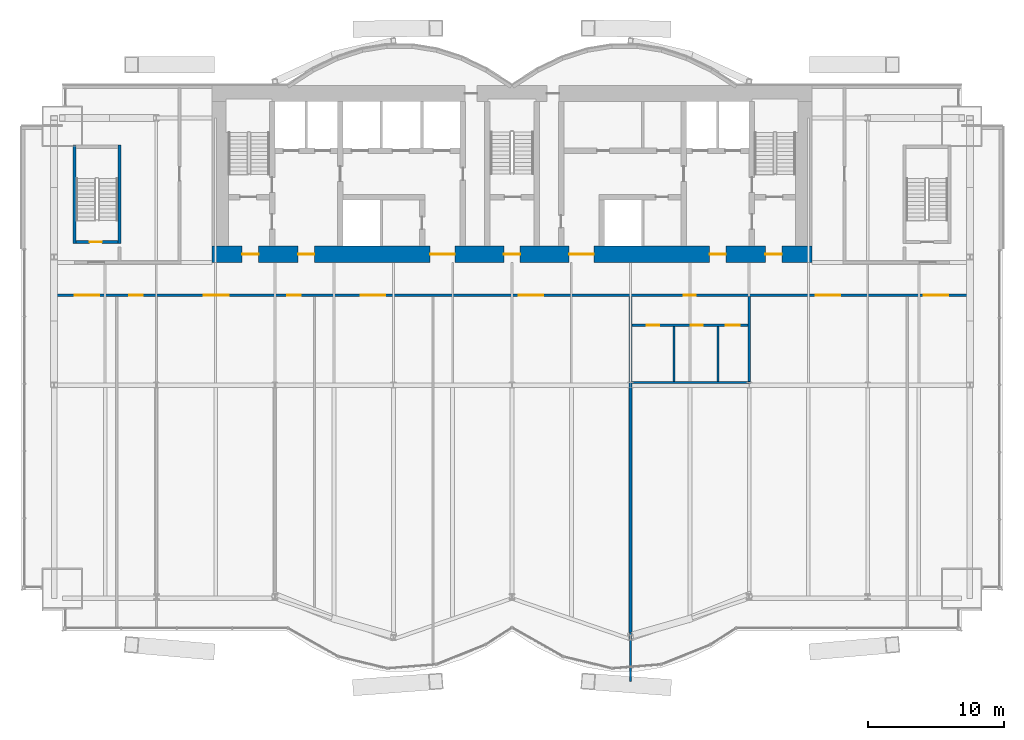
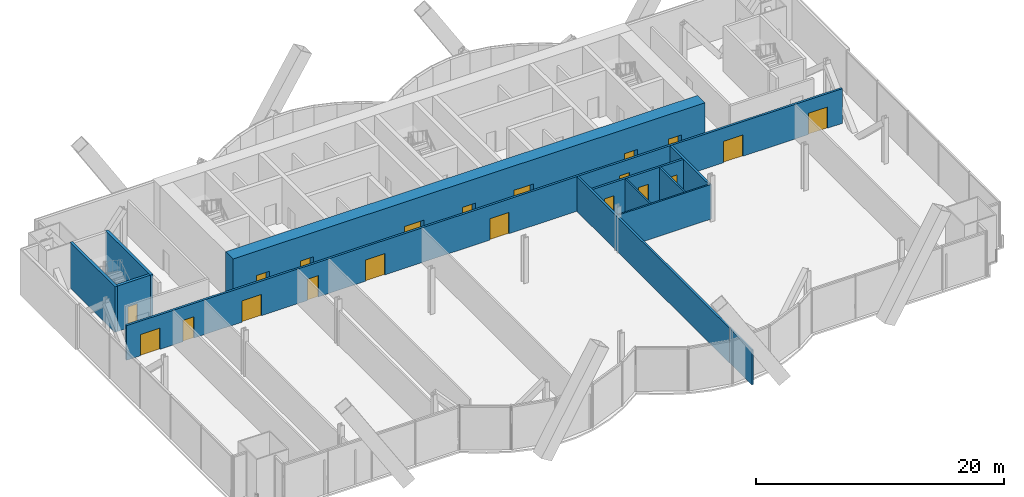
# One storey, part 16 of 22: 20 doors, 12 walls, 20 openings.
"""IFC4 building model written with IfcOpenShell, lengths in metres."""

from ifc_helpers import new_model, si_unit, direction, frame, frame_2d, origin, place, context, subcontext, project, spatial, rectangle, extrude, material, layer, layer_set, type_object, element, fill, save


model = new_model("IFC4")

# Units and contexts
model_context = context("Model", 3, precision=1e-05, world=origin(), true_north=direction((0.0, 1.0)))
body_context = subcontext(model_context, "Body", "Model", "MODEL_VIEW")
ifc_project = project(units=[si_unit("LENGTHUNIT", "METRE"), si_unit("AREAUNIT", "SQUARE_METRE"), si_unit("VOLUMEUNIT", "CUBIC_METRE"), si_unit("PLANEANGLEUNIT", "RADIAN"), si_unit("MASSUNIT", "GRAM", prefix="KILO")], contexts=[model_context])

# Site, building, storey
site_placement = place(None, origin())
site = spatial("IfcSite", under=ifc_project, at=site_placement, CompositionType="ELEMENT")
building_placement = place(site_placement, origin())
building = spatial("IfcBuilding", under=site, at=building_placement, Name="Bicima Exchange Tower", CompositionType="ELEMENT")
storey_placement = place(building_placement, frame((0.0, 0.0, 71.0)))
storey = spatial("IfcBuildingStorey", under=building, at=storey_placement, Name="L14", CompositionType="ELEMENT", Elevation=71.0)

# Wall, openings, doors
ifc_material_1 = material(Name="Gypsum board partition")
ifc_layer_1 = layer(ifc_material_1, 0.199951171875)
ifc_layer_set_1 = layer_set([ifc_layer_1], Name="Gypsum board partition")
wall_type_1 = type_object("IfcWallType", Name="Fire-rated gypsum partition 200 EI60", PredefinedType="PARTITIONING", material=ifc_layer_set_1)
wall_1_placement = place(storey_placement, frame((8.800048828125, -17.60009765625, 0.0), z_axis=(0.0, 0.0, 1.0), x_axis=(1.0, 0.0, 0.0)))
wall_1 = element("IfcWall", 1, at=wall_1_placement, inside=storey, type_object=wall_type_1, Name="partition wall 2", PredefinedType="PARTITIONING", context=body_context, shape_type="SweptSolid", body=[
    extrude(rectangle(XDim=8.5, YDim=0.199951171875, at=frame_2d((4.25, 0.0))), origin(), (0.0, 0.0, 1.0), 3.418212890625),
])
opening_1_placement = place(wall_1_placement, frame((1.10009765625, 0.0, 0.0)))
opening_1 = element("IfcOpeningElement", 2, at=opening_1_placement, cuts=wall_1, Name="Opening L14-014", PredefinedType="OPENING", context=body_context, shape_type="SweptSolid", body=[
    extrude(rectangle(XDim=0.89990234375, YDim=2.10009765625, at=frame_2d((0.449951171875, 1.050048828125))), frame((0.0, 0.11181640625, 0.0), z_axis=(0.0, -1.0, 0.0), x_axis=(1.0, 0.0, 0.0)), (0.0, 0.0, 1.0), 0.223876953125),
])
opening_2_placement = place(wall_1_placement, frame((4.300048828125, 0.0, 0.0)))
opening_2 = element("IfcOpeningElement", 3, at=opening_2_placement, cuts=wall_1, Name="Opening L14-015", PredefinedType="OPENING", context=body_context, shape_type="SweptSolid", body=[
    extrude(rectangle(XDim=0.89990234375, YDim=2.10009765625, at=frame_2d((0.449951171875, 1.050048828125))), frame((0.0, 0.11181640625, 0.0), z_axis=(0.0, -1.0, 0.0), x_axis=(1.0, 0.0, 0.0)), (0.0, 0.0, 1.0), 0.223876953125),
])
opening_3_placement = place(wall_1_placement, frame((6.89990234375, 0.0, 0.0)))
opening_3 = element("IfcOpeningElement", 4, at=opening_3_placement, cuts=wall_1, Name="Opening L14-016", PredefinedType="OPENING", context=body_context, shape_type="SweptSolid", body=[
    extrude(rectangle(XDim=1.0, YDim=2.10009765625, at=frame_2d((0.5, 1.050048828125))), frame((0.0, 0.11181640625, 0.0), z_axis=(0.0, -1.0, 0.0), x_axis=(1.0, 0.0, 0.0)), (0.0, 0.0, 1.0), 0.223876953125),
])
ifc_material_2 = material(Name="Steel fire door leaf", Category="steel")
door_type_1 = type_object("IfcDoorType", Name="Door 1000 swing FD30S", OperationType="SINGLE_SWING_LEFT", PredefinedType="DOOR", material=ifc_material_2)
door_1_placement = place(opening_3_placement, frame((1.0, 0.0, 0.0), z_axis=(0.0, 0.0, 1.0), x_axis=(-1.0, 0.0, 0.0)))
door_1 = element("IfcDoor", 5, at=door_1_placement, inside=storey, type_object=door_type_1, Name="Door", OperationType="SINGLE_SWING_LEFT", OverallHeight=2.10009765625, OverallWidth=1.0, PredefinedType="DOOR", context=body_context, shape_type="SweptSolid", body=[
    extrude(rectangle(XDim=1.0, YDim=2.10009765625, at=frame_2d((0.5, 1.050048828125))), frame((0.0, 0.02490234375, 0.0), z_axis=(0.0, -1.0, 0.0), x_axis=(1.0, 0.0, 0.0)), (0.0, 0.0, 1.0), 0.050048828125),
])
fill(opening_3, door_1)
door_type_2 = type_object("IfcDoorType", Name="Door 900 swing FD30S", OperationType="SINGLE_SWING_LEFT", PredefinedType="DOOR", material=ifc_material_2)
door_2_placement = place(opening_1_placement, frame((0.89990234375, 0.0, 0.0), z_axis=(0.0, 0.0, 1.0), x_axis=(-1.0, 0.0, 0.0)))
door_2 = element("IfcDoor", 6, at=door_2_placement, inside=storey, type_object=door_type_2, Name="Door", OperationType="SINGLE_SWING_RIGHT", OverallHeight=2.10009765625, OverallWidth=0.89990234375, PredefinedType="DOOR", context=body_context, shape_type="SweptSolid", body=[
    extrude(rectangle(XDim=0.89990234375, YDim=2.10009765625, at=frame_2d((0.449951171875, 1.050048828125))), frame((0.0, 0.02490234375, 0.0), z_axis=(0.0, -1.0, 0.0), x_axis=(1.0, 0.0, 0.0)), (0.0, 0.0, 1.0), 0.050048828125),
])
fill(opening_1, door_2)
door_3_placement = place(opening_2_placement, frame((0.89990234375, 0.0, 0.0), z_axis=(0.0, 0.0, 1.0), x_axis=(-1.0, 0.0, 0.0)))
door_3 = element("IfcDoor", 7, at=door_3_placement, inside=storey, type_object=door_type_2, Name="Door", OperationType="SINGLE_SWING_RIGHT", OverallHeight=2.10009765625, OverallWidth=0.89990234375, PredefinedType="DOOR", context=body_context, shape_type="SweptSolid", body=[
    extrude(rectangle(XDim=0.89990234375, YDim=2.10009765625, at=frame_2d((0.449951171875, 1.050048828125))), frame((0.0, 0.02490234375, 0.0), z_axis=(0.0, -1.0, 0.0), x_axis=(1.0, 0.0, 0.0)), (0.0, 0.0, 1.0), 0.050048828125),
])
fill(opening_2, door_3)

wall_2_placement = place(storey_placement, frame((-33.3701171875, -15.39990234375, 0.0), z_axis=(0.0, 0.0, 1.0), x_axis=(1.0, 0.0, 0.0)))
wall_2 = element("IfcWall", 8, at=wall_2_placement, inside=storey, type_object=wall_type_1, Name="partition wall 3", PredefinedType="PARTITIONING", context=body_context, shape_type="SweptSolid", body=[
    extrude(rectangle(XDim=66.740234375, YDim=0.199951171875, at=frame_2d((33.3701171875, 0.0))), origin(), (0.0, 0.0, 1.0), 3.418212890625),
])
opening_4_placement = place(wall_2_placement, frame((1.300048828125, 0.0, 0.0)))
opening_4 = element("IfcOpeningElement", 9, at=opening_4_placement, cuts=wall_2, Name="Opening L14-007", PredefinedType="OPENING", context=body_context, shape_type="SweptSolid", body=[
    extrude(rectangle(XDim=1.800048828125, YDim=2.10009765625, at=frame_2d((0.89990234375, 1.050048828125))), frame((0.0, 0.11181640625, 0.0), z_axis=(0.0, -1.0, 0.0), x_axis=(1.0, 0.0, 0.0)), (0.0, 0.0, 1.0), 0.223876953125),
])
opening_5_placement = place(wall_2_placement, frame((5.27001953125, 0.0, 0.0)))
opening_5 = element("IfcOpeningElement", 10, at=opening_5_placement, cuts=wall_2, Name="Opening L14-008", PredefinedType="OPENING", context=body_context, shape_type="SweptSolid", body=[
    extrude(rectangle(XDim=1.0, YDim=2.10009765625, at=frame_2d((0.5, 1.050048828125))), frame((0.0, 0.11181640625, 0.0), z_axis=(0.0, -1.0, 0.0), x_axis=(1.0, 0.0, 0.0)), (0.0, 0.0, 1.0), 0.223876953125),
])
opening_6_placement = place(wall_2_placement, frame((10.77001953125, 0.0, 0.0)))
opening_6 = element("IfcOpeningElement", 11, at=opening_6_placement, cuts=wall_2, Name="Opening L14-009", PredefinedType="OPENING", context=body_context, shape_type="SweptSolid", body=[
    extrude(rectangle(XDim=1.800048828125, YDim=2.10009765625, at=frame_2d((0.89990234375, 1.050048828125))), frame((0.0, 0.11181640625, 0.0), z_axis=(0.0, -1.0, 0.0), x_axis=(1.0, 0.0, 0.0)), (0.0, 0.0, 1.0), 0.223876953125),
])
opening_7_placement = place(wall_2_placement, frame((16.8701171875, 0.0, 0.0)))
opening_7 = element("IfcOpeningElement", 12, at=opening_7_placement, cuts=wall_2, Name="Opening L14-010", PredefinedType="OPENING", context=body_context, shape_type="SweptSolid", body=[
    extrude(rectangle(XDim=1.0, YDim=2.10009765625, at=frame_2d((0.5, 1.050048828125))), frame((0.0, 0.11181640625, 0.0), z_axis=(0.0, -1.0, 0.0), x_axis=(1.0, 0.0, 0.0)), (0.0, 0.0, 1.0), 0.223876953125),
])
opening_8_placement = place(wall_2_placement, frame((22.27001953125, 0.0, 0.0)))
opening_8 = element("IfcOpeningElement", 13, at=opening_8_placement, cuts=wall_2, Name="Opening L14-011", PredefinedType="OPENING", context=body_context, shape_type="SweptSolid", body=[
    extrude(rectangle(XDim=1.800048828125, YDim=2.10009765625, at=frame_2d((0.89990234375, 1.050048828125))), frame((0.0, 0.11181640625, 0.0), z_axis=(0.0, -1.0, 0.0), x_axis=(1.0, 0.0, 0.0)), (0.0, 0.0, 1.0), 0.223876953125),
])
opening_9_placement = place(wall_2_placement, frame((33.8701171875, 0.0, 0.0)))
opening_9 = element("IfcOpeningElement", 14, at=opening_9_placement, cuts=wall_2, Name="Opening L14-012", PredefinedType="OPENING", context=body_context, shape_type="SweptSolid", body=[
    extrude(rectangle(XDim=1.800048828125, YDim=2.10009765625, at=frame_2d((0.89990234375, 1.050048828125))), frame((0.0, 0.11181640625, 0.0), z_axis=(0.0, -1.0, 0.0), x_axis=(1.0, 0.0, 0.0)), (0.0, 0.0, 1.0), 0.223876953125),
])
opening_10_placement = place(wall_2_placement, frame((45.969970703125, 0.0, 0.0)))
opening_10 = element("IfcOpeningElement", 15, at=opening_10_placement, cuts=wall_2, Name="Opening L14-013", PredefinedType="OPENING", context=body_context, shape_type="SweptSolid", body=[
    extrude(rectangle(XDim=0.89990234375, YDim=2.10009765625, at=frame_2d((0.449951171875, 1.050048828125))), frame((0.0, 0.11181640625, 0.0), z_axis=(0.0, -1.0, 0.0), x_axis=(1.0, 0.0, 0.0)), (0.0, 0.0, 1.0), 0.223876953125),
])
opening_11_placement = place(wall_2_placement, frame((55.669921875, 0.0, 0.0)))
opening_11 = element("IfcOpeningElement", 16, at=opening_11_placement, cuts=wall_2, Name="Opening L14-017", PredefinedType="OPENING", context=body_context, shape_type="SweptSolid", body=[
    extrude(rectangle(XDim=1.800048828125, YDim=2.10009765625, at=frame_2d((0.89990234375, 1.050048828125))), frame((0.0, 0.11181640625, 0.0), z_axis=(0.0, -1.0, 0.0), x_axis=(1.0, 0.0, 0.0)), (0.0, 0.0, 1.0), 0.223876953125),
])
opening_12_placement = place(wall_2_placement, frame((63.570068359375, 0.0, 0.0)))
opening_12 = element("IfcOpeningElement", 17, at=opening_12_placement, cuts=wall_2, Name="Opening L14-018", PredefinedType="OPENING", context=body_context, shape_type="SweptSolid", body=[
    extrude(rectangle(XDim=1.800048828125, YDim=2.10009765625, at=frame_2d((0.89990234375, 1.050048828125))), frame((0.0, 0.11181640625, 0.0), z_axis=(0.0, -1.0, 0.0), x_axis=(1.0, 0.0, 0.0)), (0.0, 0.0, 1.0), 0.223876953125),
])
door_4_placement = place(opening_5_placement, frame((1.0, 0.0, 0.0), z_axis=(0.0, 0.0, 1.0), x_axis=(-1.0, 0.0, 0.0)))
door_4 = element("IfcDoor", 18, at=door_4_placement, inside=storey, type_object=door_type_1, Name="Door", OperationType="SINGLE_SWING_RIGHT", OverallHeight=2.10009765625, OverallWidth=1.0, PredefinedType="DOOR", context=body_context, shape_type="SweptSolid", body=[
    extrude(rectangle(XDim=1.0, YDim=2.10009765625, at=frame_2d((0.5, 1.050048828125))), frame((0.0, 0.02490234375, 0.0), z_axis=(0.0, -1.0, 0.0), x_axis=(1.0, 0.0, 0.0)), (0.0, 0.0, 1.0), 0.050048828125),
])
fill(opening_5, door_4)
door_5_placement = place(opening_7_placement, frame((1.0, 0.0, 0.0), z_axis=(0.0, 0.0, 1.0), x_axis=(-1.0, 0.0, 0.0)))
door_5 = element("IfcDoor", 19, at=door_5_placement, inside=storey, type_object=door_type_1, Name="Door", OperationType="SINGLE_SWING_LEFT", OverallHeight=2.10009765625, OverallWidth=1.0, PredefinedType="DOOR", context=body_context, shape_type="SweptSolid", body=[
    extrude(rectangle(XDim=1.0, YDim=2.10009765625, at=frame_2d((0.5, 1.050048828125))), frame((0.0, 0.02490234375, 0.0), z_axis=(0.0, -1.0, 0.0), x_axis=(1.0, 0.0, 0.0)), (0.0, 0.0, 1.0), 0.050048828125),
])
fill(opening_7, door_5)
door_type_3 = type_object("IfcDoorType", Name="Door 1800 double swing FD30S", OperationType="DOUBLE_DOOR_SINGLE_SWING", PredefinedType="DOOR", material=ifc_material_2)
door_6_placement = place(opening_4_placement, origin())
door_6 = element("IfcDoor", 20, at=door_6_placement, inside=storey, type_object=door_type_3, Name="Door", OperationType="SINGLE_SWING_LEFT", OverallHeight=2.10009765625, OverallWidth=1.800048828125, PredefinedType="DOOR", context=body_context, shape_type="SweptSolid", body=[
    extrude(rectangle(XDim=1.800048828125, YDim=2.10009765625, at=frame_2d((0.89990234375, 1.050048828125))), frame((0.0, 0.02490234375, 0.0), z_axis=(0.0, -1.0, 0.0), x_axis=(1.0, 0.0, 0.0)), (0.0, 0.0, 1.0), 0.050048828125),
])
fill(opening_4, door_6)
door_7_placement = place(opening_6_placement, origin())
door_7 = element("IfcDoor", 21, at=door_7_placement, inside=storey, type_object=door_type_3, Name="Door", OperationType="SINGLE_SWING_LEFT", OverallHeight=2.10009765625, OverallWidth=1.800048828125, PredefinedType="DOOR", context=body_context, shape_type="SweptSolid", body=[
    extrude(rectangle(XDim=1.800048828125, YDim=2.10009765625, at=frame_2d((0.89990234375, 1.050048828125))), frame((0.0, 0.02490234375, 0.0), z_axis=(0.0, -1.0, 0.0), x_axis=(1.0, 0.0, 0.0)), (0.0, 0.0, 1.0), 0.050048828125),
])
fill(opening_6, door_7)
door_8_placement = place(opening_8_placement, origin())
door_8 = element("IfcDoor", 22, at=door_8_placement, inside=storey, type_object=door_type_3, Name="Door", OperationType="SINGLE_SWING_LEFT", OverallHeight=2.10009765625, OverallWidth=1.800048828125, PredefinedType="DOOR", context=body_context, shape_type="SweptSolid", body=[
    extrude(rectangle(XDim=1.800048828125, YDim=2.10009765625, at=frame_2d((0.89990234375, 1.050048828125))), frame((0.0, 0.02490234375, 0.0), z_axis=(0.0, -1.0, 0.0), x_axis=(1.0, 0.0, 0.0)), (0.0, 0.0, 1.0), 0.050048828125),
])
fill(opening_8, door_8)
door_9_placement = place(opening_9_placement, origin())
door_9 = element("IfcDoor", 23, at=door_9_placement, inside=storey, type_object=door_type_3, Name="Door", OperationType="SINGLE_SWING_LEFT", OverallHeight=2.10009765625, OverallWidth=1.800048828125, PredefinedType="DOOR", context=body_context, shape_type="SweptSolid", body=[
    extrude(rectangle(XDim=1.800048828125, YDim=2.10009765625, at=frame_2d((0.89990234375, 1.050048828125))), frame((0.0, 0.02490234375, 0.0), z_axis=(0.0, -1.0, 0.0), x_axis=(1.0, 0.0, 0.0)), (0.0, 0.0, 1.0), 0.050048828125),
])
fill(opening_9, door_9)
door_10_placement = place(opening_11_placement, origin())
door_10 = element("IfcDoor", 24, at=door_10_placement, inside=storey, type_object=door_type_3, Name="Door", OperationType="SINGLE_SWING_LEFT", OverallHeight=2.10009765625, OverallWidth=1.800048828125, PredefinedType="DOOR", context=body_context, shape_type="SweptSolid", body=[
    extrude(rectangle(XDim=1.800048828125, YDim=2.10009765625, at=frame_2d((0.89990234375, 1.050048828125))), frame((0.0, 0.02490234375, 0.0), z_axis=(0.0, -1.0, 0.0), x_axis=(1.0, 0.0, 0.0)), (0.0, 0.0, 1.0), 0.050048828125),
])
fill(opening_11, door_10)
door_11_placement = place(opening_12_placement, origin())
door_11 = element("IfcDoor", 25, at=door_11_placement, inside=storey, type_object=door_type_3, Name="Door", OperationType="SINGLE_SWING_LEFT", OverallHeight=2.10009765625, OverallWidth=1.800048828125, PredefinedType="DOOR", context=body_context, shape_type="SweptSolid", body=[
    extrude(rectangle(XDim=1.800048828125, YDim=2.10009765625, at=frame_2d((0.89990234375, 1.050048828125))), frame((0.0, 0.02490234375, 0.0), z_axis=(0.0, -1.0, 0.0), x_axis=(1.0, 0.0, 0.0)), (0.0, 0.0, 1.0), 0.050048828125),
])
fill(opening_12, door_11)
door_12_placement = place(opening_10_placement, frame((0.89990234375, 0.0, 0.0), z_axis=(0.0, 0.0, 1.0), x_axis=(-1.0, 0.0, 0.0)))
door_12 = element("IfcDoor", 26, at=door_12_placement, inside=storey, type_object=door_type_2, Name="Door", OperationType="SINGLE_SWING_LEFT", OverallHeight=2.10009765625, OverallWidth=0.89990234375, PredefinedType="DOOR", context=body_context, shape_type="SweptSolid", body=[
    extrude(rectangle(XDim=0.89990234375, YDim=2.10009765625, at=frame_2d((0.449951171875, 1.050048828125))), frame((0.0, 0.02490234375, 0.0), z_axis=(0.0, -1.0, 0.0), x_axis=(1.0, 0.0, 0.0)), (0.0, 0.0, 1.0), 0.050048828125),
])
fill(opening_10, door_12)

# Walls
wall_3_placement = place(storey_placement, frame((8.699951171875, -40.15771484375, 0.0), z_axis=(0.0, 0.0, 1.0), x_axis=(0.0, 1.0, 0.0)))
element("IfcWall", 27, at=wall_3_placement, inside=storey, type_object=wall_type_1, Name="partition wall 21", PredefinedType="PARTITIONING", context=body_context, shape_type="SweptSolid", body=[
    extrude(rectangle(XDim=24.65771484375, YDim=0.199951171875, at=frame_2d((12.328857421875, 0.0))), origin(), (0.0, 0.0, 1.0), 3.418212890625),
])
wall_4_placement = place(storey_placement, frame((17.39990234375, -21.72509765625, 0.0), z_axis=(0.0, 0.0, 1.0), x_axis=(0.0, 1.0, 0.0)))
element("IfcWall", 28, at=wall_4_placement, inside=storey, type_object=wall_type_1, Name="partition wall 24", PredefinedType="PARTITIONING", context=body_context, shape_type="SweptSolid", body=[
    extrude(rectangle(XDim=6.22509765625, YDim=0.199951171875, at=frame_2d((3.112548828125, 0.0))), origin(), (0.0, 0.0, 1.0), 3.418212890625),
])
ifc_layer_2 = layer(ifc_material_1, 0.14990234375)
ifc_layer_set_2 = layer_set([ifc_layer_2], Name="Gypsum board partition")
wall_type_2 = type_object("IfcWallType", Name="Gypsum partition 150", PredefinedType="PARTITIONING", material=ifc_layer_set_2)
wall_5_placement = place(storey_placement, frame((8.800048828125, -21.800048828125, 0.0), z_axis=(0.0, 0.0, 1.0), x_axis=(1.0, 0.0, 0.0)))
element("IfcWall", 29, at=wall_5_placement, inside=storey, type_object=wall_type_2, Name="partition wall 1", PredefinedType="PARTITIONING", context=body_context, shape_type="SweptSolid", body=[
    extrude(rectangle(XDim=8.699951171875, YDim=0.14990234375, at=frame_2d((4.35009765625, 0.0))), origin(), (0.0, 0.0, 1.0), 3.418212890625),
])
wall_6_placement = place(storey_placement, frame((8.699951171875, -43.747802734375, 0.0), z_axis=(0.0, 0.0, 1.0), x_axis=(0.0, 1.0, 0.0)))
element("IfcWall", 30, at=wall_6_placement, inside=storey, type_object=wall_type_2, Name="partition wall 20", PredefinedType="PARTITIONING", context=body_context, shape_type="SweptSolid", body=[
    extrude(rectangle(XDim=3.590087890625, YDim=0.14990234375, at=frame_2d((1.794921875, 0.0))), origin(), (0.0, 0.0, 1.0), 3.418212890625),
])
for number, where, z_axis, x_axis, name in (
    (31, (11.89990234375, -21.72509765625, 0.0), (0.0, 0.0, 1.0), (0.0, 1.0, 0.0), "partition wall 22"),
    (32, (15.10009765625, -21.72509765625, 0.0), (0.0, 0.0, 1.0), (0.0, 1.0, 0.0), "partition wall 23"),
):
    element("IfcWall", number, at=place(storey_placement, frame(where, z_axis=z_axis, x_axis=x_axis)), inside=storey, type_object=wall_type_2, Name=name, PredefinedType="PARTITIONING", context=body_context, shape_type="SweptSolid", body=[
        extrude(rectangle(XDim=4.025146484375, YDim=0.14990234375, at=frame_2d((2.0126953125, 0.0))), origin(), (0.0, 0.0, 1.0), 3.418212890625),
    ])

# Wall, openings, doors
ifc_material_3 = material(Name="Concrete C60/75", Category="concrete")
ifc_layer_3 = layer(ifc_material_3, 1.199951171875)
ifc_layer_set_3 = layer_set([ifc_layer_3], Name="Concrete C60/75")
wall_type_3 = type_object("IfcWallType", Name="RC core wall 1200 C60/75", PredefinedType="SHEAR", material=ifc_layer_set_3)
wall_7_placement = place(storey_placement, frame((-22.0, -12.39990234375, 0.0), z_axis=(0.0, 0.0, 1.0), x_axis=(1.0, 0.0, 0.0)))
wall_7 = element("IfcWall", 33, at=wall_7_placement, inside=storey, type_object=wall_type_3, Name="Core wall south", PredefinedType="SHEAR", context=body_context, shape_type="SweptSolid", body=[
    extrude(rectangle(XDim=44.0, YDim=1.199951171875, at=frame_2d((22.0, 0.0))), origin(), (0.0, 0.0, 1.0), 4.5),
])
opening_13_placement = place(wall_7_placement, frame((2.199951171875, 0.0, 0.0)))
opening_13 = element("IfcOpeningElement", 34, at=opening_13_placement, cuts=wall_7, Name="Opening L14-C18", PredefinedType="OPENING", context=body_context, shape_type="SweptSolid", body=[
    extrude(rectangle(XDim=1.199951171875, YDim=2.10009765625, at=frame_2d((0.60009765625, 1.050048828125))), frame((0.0, 0.61181640625, 0.0), z_axis=(0.0, -1.0, 0.0), x_axis=(1.0, 0.0, 0.0)), (0.0, 0.0, 1.0), 1.223876953125),
])
opening_14_placement = place(wall_7_placement, frame((21.39990234375, 0.0, 0.0)))
opening_14 = element("IfcOpeningElement", 35, at=opening_14_placement, cuts=wall_7, Name="Opening L14-C19", PredefinedType="OPENING", context=body_context, shape_type="SweptSolid", body=[
    extrude(rectangle(XDim=1.199951171875, YDim=2.10009765625, at=frame_2d((0.60009765625, 1.050048828125))), frame((0.0, 0.61181640625, 0.0), z_axis=(0.0, -1.0, 0.0), x_axis=(1.0, 0.0, 0.0)), (0.0, 0.0, 1.0), 1.223876953125),
])
opening_15_placement = place(wall_7_placement, frame((40.60009765625, 0.0, 0.0)))
opening_15 = element("IfcOpeningElement", 36, at=opening_15_placement, cuts=wall_7, Name="Opening L14-C20", PredefinedType="OPENING", context=body_context, shape_type="SweptSolid", body=[
    extrude(rectangle(XDim=1.199951171875, YDim=2.10009765625, at=frame_2d((0.60009765625, 1.050048828125))), frame((0.0, 0.61181640625, 0.0), z_axis=(0.0, -1.0, 0.0), x_axis=(1.0, 0.0, 0.0)), (0.0, 0.0, 1.0), 1.223876953125),
])
opening_16_placement = place(wall_7_placement, frame((16.0, 0.0, 0.0)))
opening_16 = element("IfcOpeningElement", 37, at=opening_16_placement, cuts=wall_7, Name="Opening L14-C21", PredefinedType="OPENING", context=body_context, shape_type="SweptSolid", body=[
    extrude(rectangle(XDim=1.800048828125, YDim=2.10009765625, at=frame_2d((0.89990234375, 1.050048828125))), frame((0.0, 0.61181640625, 0.0), z_axis=(0.0, -1.0, 0.0), x_axis=(1.0, 0.0, 0.0)), (0.0, 0.0, 1.0), 1.223876953125),
])
opening_17_placement = place(wall_7_placement, frame((6.300048828125, 0.0, 0.0)))
opening_17 = element("IfcOpeningElement", 38, at=opening_17_placement, cuts=wall_7, Name="Opening L14-C22", PredefinedType="OPENING", context=body_context, shape_type="SweptSolid", body=[
    extrude(rectangle(XDim=1.199951171875, YDim=2.10009765625, at=frame_2d((0.60009765625, 1.050048828125))), frame((0.0, 0.61181640625, 0.0), z_axis=(0.0, -1.0, 0.0), x_axis=(1.0, 0.0, 0.0)), (0.0, 0.0, 1.0), 1.223876953125),
])
opening_18_placement = place(wall_7_placement, frame((26.199951171875, 0.0, 0.0)))
opening_18 = element("IfcOpeningElement", 39, at=opening_18_placement, cuts=wall_7, Name="Opening L14-C23", PredefinedType="OPENING", context=body_context, shape_type="SweptSolid", body=[
    extrude(rectangle(XDim=1.800048828125, YDim=2.10009765625, at=frame_2d((0.89990234375, 1.050048828125))), frame((0.0, 0.61181640625, 0.0), z_axis=(0.0, -1.0, 0.0), x_axis=(1.0, 0.0, 0.0)), (0.0, 0.0, 1.0), 1.223876953125),
])
opening_19_placement = place(wall_7_placement, frame((36.5, 0.0, 0.0)))
opening_19 = element("IfcOpeningElement", 40, at=opening_19_placement, cuts=wall_7, Name="Opening L14-C24", PredefinedType="OPENING", context=body_context, shape_type="SweptSolid", body=[
    extrude(rectangle(XDim=1.199951171875, YDim=2.10009765625, at=frame_2d((0.60009765625, 1.050048828125))), frame((0.0, 0.61181640625, 0.0), z_axis=(0.0, -1.0, 0.0), x_axis=(1.0, 0.0, 0.0)), (0.0, 0.0, 1.0), 1.223876953125),
])
door_type_4 = type_object("IfcDoorType", Name="Door 1200 swing FD60S", OperationType="SINGLE_SWING_LEFT", PredefinedType="DOOR", material=ifc_material_2)
door_13_placement = place(opening_13_placement, frame((1.199951171875, 0.0, 0.0), z_axis=(0.0, 0.0, 1.0), x_axis=(-1.0, 0.0, 0.0)))
door_13 = element("IfcDoor", 41, at=door_13_placement, inside=storey, type_object=door_type_4, Name="Core door", OperationType="SINGLE_SWING_RIGHT", OverallHeight=2.10009765625, OverallWidth=1.199951171875, PredefinedType="DOOR", context=body_context, shape_type="SweptSolid", body=[
    extrude(rectangle(XDim=1.199951171875, YDim=2.10009765625, at=frame_2d((0.60009765625, 1.050048828125))), frame((0.0, 0.02490234375, 0.0), z_axis=(0.0, -1.0, 0.0), x_axis=(1.0, 0.0, 0.0)), (0.0, 0.0, 1.0), 0.050048828125),
])
fill(opening_13, door_13)
door_14_placement = place(opening_14_placement, frame((1.199951171875, 0.0, 0.0), z_axis=(0.0, 0.0, 1.0), x_axis=(-1.0, 0.0, 0.0)))
door_14 = element("IfcDoor", 42, at=door_14_placement, inside=storey, type_object=door_type_4, Name="Core door", OperationType="SINGLE_SWING_RIGHT", OverallHeight=2.10009765625, OverallWidth=1.199951171875, PredefinedType="DOOR", context=body_context, shape_type="SweptSolid", body=[
    extrude(rectangle(XDim=1.199951171875, YDim=2.10009765625, at=frame_2d((0.60009765625, 1.050048828125))), frame((0.0, 0.02490234375, 0.0), z_axis=(0.0, -1.0, 0.0), x_axis=(1.0, 0.0, 0.0)), (0.0, 0.0, 1.0), 0.050048828125),
])
fill(opening_14, door_14)
door_15_placement = place(opening_15_placement, frame((1.199951171875, 0.0, 0.0), z_axis=(0.0, 0.0, 1.0), x_axis=(-1.0, 0.0, 0.0)))
door_15 = element("IfcDoor", 43, at=door_15_placement, inside=storey, type_object=door_type_4, Name="Core door", OperationType="SINGLE_SWING_RIGHT", OverallHeight=2.10009765625, OverallWidth=1.199951171875, PredefinedType="DOOR", context=body_context, shape_type="SweptSolid", body=[
    extrude(rectangle(XDim=1.199951171875, YDim=2.10009765625, at=frame_2d((0.60009765625, 1.050048828125))), frame((0.0, 0.02490234375, 0.0), z_axis=(0.0, -1.0, 0.0), x_axis=(1.0, 0.0, 0.0)), (0.0, 0.0, 1.0), 0.050048828125),
])
fill(opening_15, door_15)
door_16_placement = place(opening_17_placement, frame((1.199951171875, 0.0, 0.0), z_axis=(0.0, 0.0, 1.0), x_axis=(-1.0, 0.0, 0.0)))
door_16 = element("IfcDoor", 44, at=door_16_placement, inside=storey, type_object=door_type_4, Name="Core door", OperationType="SINGLE_SWING_RIGHT", OverallHeight=2.10009765625, OverallWidth=1.199951171875, PredefinedType="DOOR", context=body_context, shape_type="SweptSolid", body=[
    extrude(rectangle(XDim=1.199951171875, YDim=2.10009765625, at=frame_2d((0.60009765625, 1.050048828125))), frame((0.0, 0.02490234375, 0.0), z_axis=(0.0, -1.0, 0.0), x_axis=(1.0, 0.0, 0.0)), (0.0, 0.0, 1.0), 0.050048828125),
])
fill(opening_17, door_16)
door_17_placement = place(opening_19_placement, frame((1.199951171875, 0.0, 0.0), z_axis=(0.0, 0.0, 1.0), x_axis=(-1.0, 0.0, 0.0)))
door_17 = element("IfcDoor", 45, at=door_17_placement, inside=storey, type_object=door_type_4, Name="Core door", OperationType="SINGLE_SWING_RIGHT", OverallHeight=2.10009765625, OverallWidth=1.199951171875, PredefinedType="DOOR", context=body_context, shape_type="SweptSolid", body=[
    extrude(rectangle(XDim=1.199951171875, YDim=2.10009765625, at=frame_2d((0.60009765625, 1.050048828125))), frame((0.0, 0.02490234375, 0.0), z_axis=(0.0, -1.0, 0.0), x_axis=(1.0, 0.0, 0.0)), (0.0, 0.0, 1.0), 0.050048828125),
])
fill(opening_19, door_17)
door_18_placement = place(opening_16_placement, origin())
door_18 = element("IfcDoor", 46, at=door_18_placement, inside=storey, type_object=door_type_3, Name="Core door", OperationType="SINGLE_SWING_LEFT", OverallHeight=2.10009765625, OverallWidth=1.800048828125, PredefinedType="DOOR", context=body_context, shape_type="SweptSolid", body=[
    extrude(rectangle(XDim=1.800048828125, YDim=2.10009765625, at=frame_2d((0.89990234375, 1.050048828125))), frame((0.0, 0.02490234375, 0.0), z_axis=(0.0, -1.0, 0.0), x_axis=(1.0, 0.0, 0.0)), (0.0, 0.0, 1.0), 0.050048828125),
])
fill(opening_16, door_18)
door_19_placement = place(opening_18_placement, origin())
door_19 = element("IfcDoor", 47, at=door_19_placement, inside=storey, type_object=door_type_3, Name="Core door", OperationType="SINGLE_SWING_LEFT", OverallHeight=2.10009765625, OverallWidth=1.800048828125, PredefinedType="DOOR", context=body_context, shape_type="SweptSolid", body=[
    extrude(rectangle(XDim=1.800048828125, YDim=2.10009765625, at=frame_2d((0.89990234375, 1.050048828125))), frame((0.0, 0.02490234375, 0.0), z_axis=(0.0, -1.0, 0.0), x_axis=(1.0, 0.0, 0.0)), (0.0, 0.0, 1.0), 0.050048828125),
])
fill(opening_18, door_19)

# Walls
ifc_material_4 = material(Name="Concrete C50/60", Category="concrete")
ifc_layer_4 = layer(ifc_material_4, 0.25)
ifc_layer_set_4 = layer_set([ifc_layer_4], Name="Concrete C50/60")
wall_type_4 = type_object("IfcWallType", Name="RC stair enclosure wall 250 C50/60", PredefinedType="SHEAR", material=ifc_layer_set_4)
for number, where, z_axis, x_axis, name in (
    (48, (-32.10009765625, -11.625, 0.0), (0.0, 0.0, 1.0), (0.0, 1.0, 0.0), "West end exit stair wall W"),
    (49, (-28.800048828125, -11.625, 0.0), (0.0, 0.0, 1.0), (0.0, 1.0, 0.0), "West end exit stair wall E"),
):
    element("IfcWall", number, at=place(storey_placement, frame(where, z_axis=z_axis, x_axis=x_axis)), inside=storey, type_object=wall_type_4, Name=name, PredefinedType="SHEAR", context=body_context, shape_type="SweptSolid", body=[
        extrude(rectangle(XDim=7.25, YDim=0.25, at=frame_2d((3.625, 0.0))), origin(), (0.0, 0.0, 1.0), 4.5),
    ])

# Wall, opening, door
wall_8_placement = place(storey_placement, frame((-31.97509765625, -11.5, 0.0), z_axis=(0.0, 0.0, 1.0), x_axis=(1.0, 0.0, 0.0)))
wall_8 = element("IfcWall", 50, at=wall_8_placement, inside=storey, type_object=wall_type_4, Name="West end exit stair wall S", PredefinedType="SHEAR", context=body_context, shape_type="SweptSolid", body=[
    extrude(rectangle(XDim=3.050048828125, YDim=0.25, at=frame_2d((1.52490234375, 0.0))), origin(), (0.0, 0.0, 1.0), 4.5),
])
opening_20_placement = place(wall_8_placement, frame((0.97509765625, 0.0, 0.0)))
opening_20 = element("IfcOpeningElement", 51, at=opening_20_placement, cuts=wall_8, Name="Opening L14-002", PredefinedType="OPENING", context=body_context, shape_type="SweptSolid", body=[
    extrude(rectangle(XDim=0.89990234375, YDim=2.10009765625, at=frame_2d((0.449951171875, 1.050048828125))), frame((0.0, 0.136962890625, 0.0), z_axis=(0.0, -1.0, 0.0), x_axis=(1.0, 0.0, 0.0)), (0.0, 0.0, 1.0), 0.27392578125),
])
door_type_5 = type_object("IfcDoorType", Name="Door 900 swing FD60S", OperationType="SINGLE_SWING_LEFT", PredefinedType="DOOR", material=ifc_material_2)
door_20_placement = place(opening_20_placement, origin())
door_20 = element("IfcDoor", 52, at=door_20_placement, inside=storey, type_object=door_type_5, Name="Door", OperationType="SINGLE_SWING_LEFT", OverallHeight=2.10009765625, OverallWidth=0.89990234375, PredefinedType="DOOR", context=body_context, shape_type="SweptSolid", body=[
    extrude(rectangle(XDim=0.89990234375, YDim=2.10009765625, at=frame_2d((0.449951171875, 1.050048828125))), frame((0.0, 0.02490234375, 0.0), z_axis=(0.0, -1.0, 0.0), x_axis=(1.0, 0.0, 0.0)), (0.0, 0.0, 1.0), 0.050048828125),
])
fill(opening_20, door_20)

save(model, "model.ifc")
